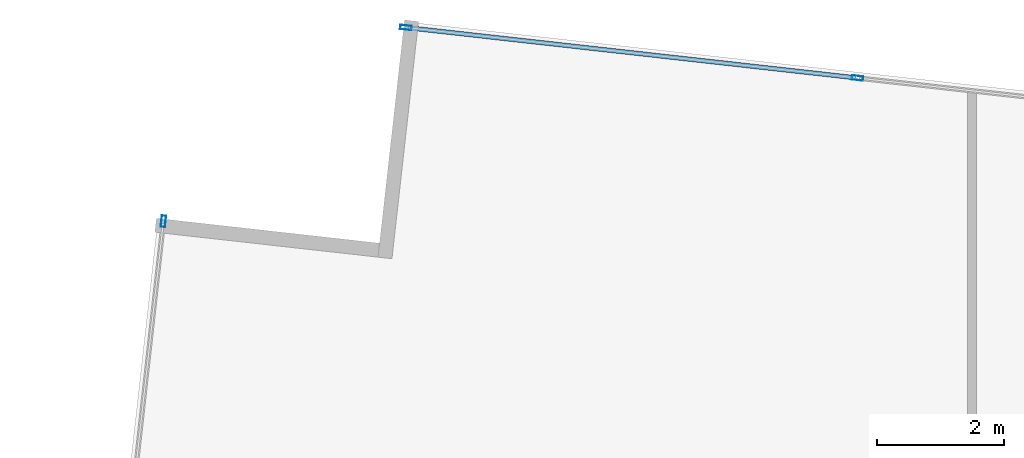
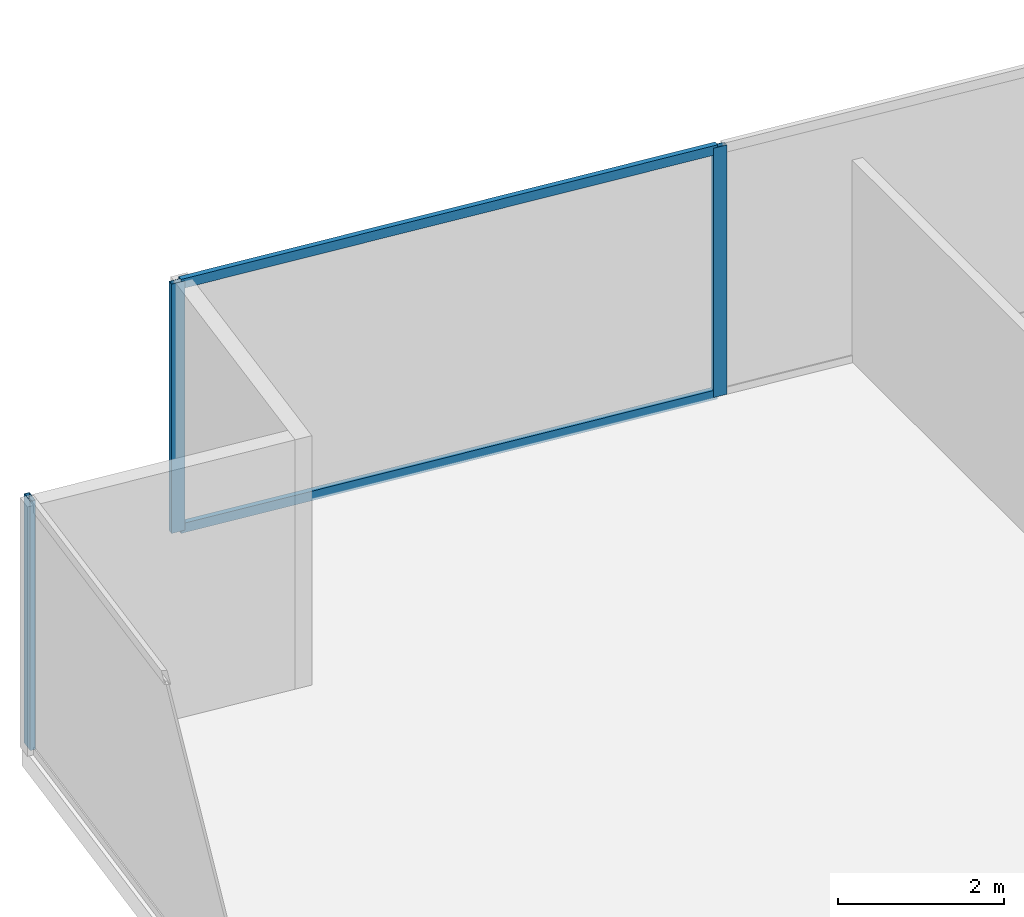
# One storey, part 18 of 28: 5 members, 2 elements without a shape of their own.
"""IFC4 building model written with IfcOpenShell, lengths in metres."""

from ifc_helpers import new_model, si_unit, direction, frame, origin, origin_2d, place, context, subcontext, project, spatial, hollow_rectangle, extrude, source, transform, mapped, material, material_profile, profile_set, type_object, type_shapes, element, aggregate, save


model = new_model("IFC4")

# Units and contexts
model_context = context("Model", 3, precision=1e-05, world=origin(), true_north=direction((0.0, 1.0)))
body_context = subcontext(model_context, "Body", "Model", "MODEL_VIEW")
ifc_project = project(units=[si_unit("LENGTHUNIT", "METRE"), si_unit("AREAUNIT", "SQUARE_METRE"), si_unit("VOLUMEUNIT", "CUBIC_METRE"), si_unit("PLANEANGLEUNIT", "RADIAN"), si_unit("MASSUNIT", "GRAM", prefix="KILO")], contexts=[model_context])

# Site, building, storey
site_placement = place(None, origin())
site = spatial("IfcSite", under=ifc_project, at=site_placement, CompositionType="ELEMENT")
building_placement = place(site_placement, origin())
building = spatial("IfcBuilding", under=site, at=building_placement, Name="Krantzveldt Concourse Tower", CompositionType="ELEMENT")
storey_placement = place(building_placement, frame((0.0, 0.0, 64.5)))
storey = spatial("IfcBuildingStorey", under=building, at=storey_placement, Name="L15", CompositionType="ELEMENT", Elevation=64.5)

# Curtain wall, member
ifc_material = material(Name="Anodised aluminium 6063-T6", Category="aluminium")
curtain_wall_type = type_object("IfcCurtainWallType", Name="CW2", PredefinedType="USERDEFINED", material=ifc_material)
curtain_wall_1_placement = place(storey_placement, origin())
curtain_wall_1 = element("IfcCurtainWall", 1, at=curtain_wall_1_placement, inside=storey, type_object=curtain_wall_type, Name="CW-L15-F01", ObjectType="UNITISED CURTAIN WALL", PredefinedType="USERDEFINED")
ifc_material_profile_1 = material_profile(ifc_material, hollow_rectangle(XDim=0.070068359375, YDim=0.179931640625, WallThickness=0.0048828125, at=origin_2d()), Name="Anodised aluminium 6063-T6", Category="aluminium")
ifc_profile_set_1 = profile_set([ifc_material_profile_1], Name="Anodised aluminium 6063-T6 - ALU-MULL 180x70x5")
member_type_1 = type_object("IfcMemberType", Name="CW-MUL-180", PredefinedType="MULLION", material=ifc_profile_set_1)
shared_shape_1 = source(origin(), body_context, "Body", "SweptSolid", [
    extrude(hollow_rectangle(XDim=0.070068359375, YDim=0.179931640625, WallThickness=0.0048828125, at=origin_2d()), origin(), (0.0, 0.0, 1.0), 3.669921875),
])
type_shapes(member_type_1, [shared_shape_1])
member_1_placement = place(storey_placement, frame((13.62744140625, 50.798095703125, 0.0), z_axis=(0.0, 0.0, 1.0), x_axis=(0.993816458223, -0.111035342863, 0.0)))
member_1 = element("IfcMember", 2, at=member_1_placement, type_object=member_type_1, Name="CW-Z12 mullion 1", PredefinedType="MULLION", context=body_context, shape_type="MappedRepresentation", body=[
    mapped(shared_shape_1, transform((0.0, 0.0, 0.0), x_axis=(1.0, 0.0, 0.0), y_axis=(0.0, 1.0, 0.0), z_axis=(0.0, 0.0, 1.0), scale=1.0)),
])
aggregate(curtain_wall_1, [member_1])

# Curtain wall, members
curtain_wall_2_placement = place(storey_placement, origin())
curtain_wall_2 = element("IfcCurtainWall", 3, at=curtain_wall_2_placement, inside=storey, type_object=curtain_wall_type, Name="CW-L15-F10", ObjectType="UNITISED CURTAIN WALL", PredefinedType="USERDEFINED")
member_2_placement = place(storey_placement, frame((24.521240234375, 53.04736328125, 0.0), z_axis=(0.0, 0.0, 1.0), x_axis=(-0.111035342863, -0.993816458223, 0.0)))
member_2 = element("IfcMember", 4, at=member_2_placement, type_object=member_type_1, Name="CW-Z12 mullion 6", PredefinedType="MULLION", context=body_context, shape_type="MappedRepresentation", body=[
    mapped(shared_shape_1, transform((0.0, 0.0, 0.0), x_axis=(1.0, 0.0, 0.0), y_axis=(0.0, 1.0, 0.0), z_axis=(0.0, 0.0, 1.0), scale=1.0)),
])
member_3_placement = place(storey_placement, frame((17.43359375, 53.83935546875, 0.0), z_axis=(0.0, 0.0, 1.0), x_axis=(-0.111035342863, -0.993816458223, 0.0)))
member_3 = element("IfcMember", 5, at=member_3_placement, type_object=member_type_1, Name="CW-Z12 mullion 7", PredefinedType="MULLION", context=body_context, shape_type="MappedRepresentation", body=[
    mapped(shared_shape_1, transform((0.0, 0.0, 0.0), x_axis=(1.0, 0.0, 0.0), y_axis=(0.0, 1.0, 0.0), z_axis=(0.0, 0.0, 1.0), scale=1.0)),
])
ifc_material_profile_2 = material_profile(ifc_material, hollow_rectangle(XDim=0.070068359375, YDim=0.139892578125, WallThickness=0.0048828125, at=origin_2d()), Name="Anodised aluminium 6063-T6", Category="aluminium")
ifc_profile_set_2 = profile_set([ifc_material_profile_2], Name="Anodised aluminium 6063-T6 - ALU-TRAN 140x70x5")
member_type_2 = type_object("IfcMemberType", Name="CW-TRN-150", PredefinedType="USERDEFINED", material=ifc_profile_set_2)
shared_shape_2 = source(origin(), body_context, "Body", "SweptSolid", [
    extrude(hollow_rectangle(XDim=0.070068359375, YDim=0.139892578125, WallThickness=0.0048828125, at=origin_2d()), origin(), (0.0, 0.0, 1.0), 7.0615234375),
])
type_shapes(member_type_2, [shared_shape_2])
member_4_placement = place(storey_placement, frame((24.486328125, 53.05126953125, 0.034912109375), z_axis=(-0.993814816866, 0.111050032763, 0.0), x_axis=(-0.111050032763, -0.993814816866, 0.0)))
member_4 = element("IfcMember", 6, at=member_4_placement, type_object=member_type_2, Name="CW-Z12 transom 6.1", ObjectType="TRANSOM", PredefinedType="USERDEFINED", context=body_context, shape_type="MappedRepresentation", body=[
    mapped(shared_shape_2, transform((0.0, 0.0, 0.0), x_axis=(1.0, 0.0, 0.0), y_axis=(0.0, 1.0, 0.0), z_axis=(0.0, 0.0, 1.0), scale=1.0)),
])
member_5_placement = place(storey_placement, frame((24.486328125, 53.05126953125, 3.635009765625), z_axis=(-0.993814816866, 0.111050032763, 0.0), x_axis=(-0.111050032763, -0.993814816866, 0.0)))
member_5 = element("IfcMember", 7, at=member_5_placement, type_object=member_type_2, Name="CW-Z12 transom 6.2", ObjectType="TRANSOM", PredefinedType="USERDEFINED", context=body_context, shape_type="MappedRepresentation", body=[
    mapped(shared_shape_2, transform((0.0, 0.0, 0.0), x_axis=(1.0, 0.0, 0.0), y_axis=(0.0, 1.0, 0.0), z_axis=(0.0, 0.0, 1.0), scale=1.0)),
])
aggregate(curtain_wall_2, [member_2, member_3, member_4, member_5])

save(model, "model.ifc")
